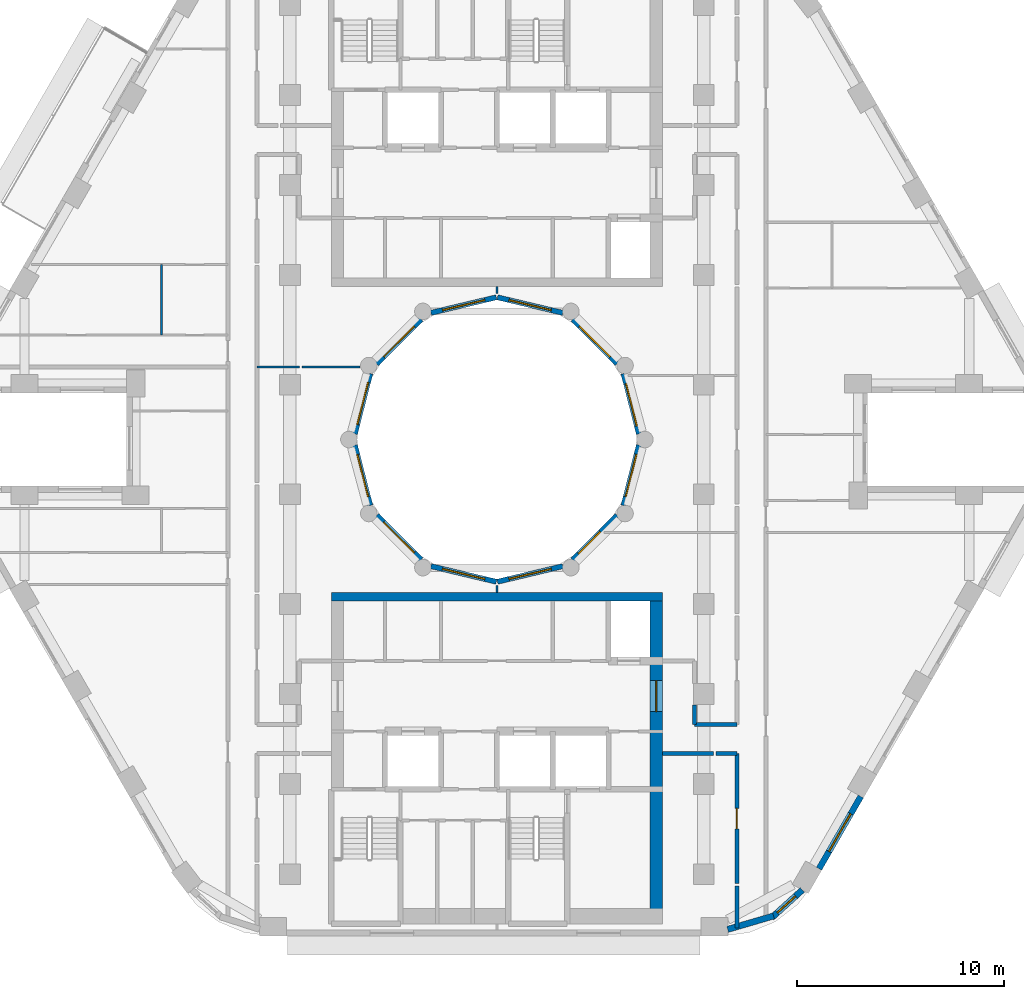
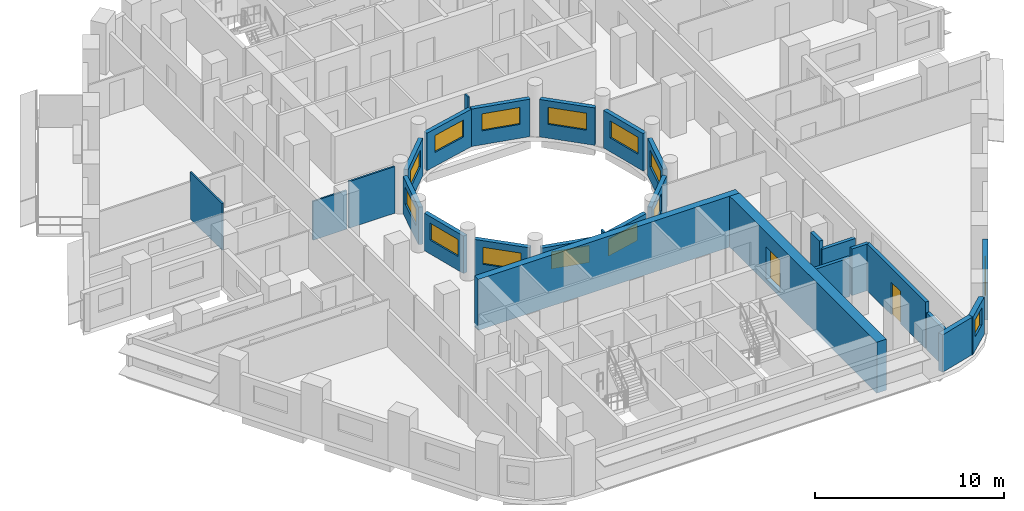
# One storey, part 5 of 13: 28 walls, 14 windows, 2 doors, 16 openings.
"""IFC4 building model written with IfcOpenShell, lengths in metres."""

import ifcopenshell
import ifcopenshell.guid

model = None  # the IFC model being written
_history = None  # IfcOwnerHistory: only IFC2X3 demands one
_inside = {}  # id of a spatial element -> (the spatial element, [elements in it])
_under = {}  # id of a project, library or spatial element -> (it, [spatial elements below it])
_declared = {}  # id of a project -> (the project, [libraries it declares])
_typed = {}  # id of a type object -> (the type object, [elements of that type])
_made_of = {}  # id of a material, layer set ... -> (it, [elements and type objects made of it])


def new_model(schema):
    """Start an empty IFC model of exactly this schema.

    Asked for "IFC4X3", IfcOpenShell would pick the latest addendum, in which some entities
    have other attributes; the version numbers below select the first issue.
    IFC2X3 requires an IfcOwnerHistory on every rooted entity: one is made here for all.
    """
    global model, _history
    if schema == "IFC4X3":
        model = ifcopenshell.file(schema_version=(4, 3, 0, 0))
    else:
        model = ifcopenshell.file(schema=schema)
    _inside.clear()
    _under.clear()
    _declared.clear()
    _typed.clear()
    _made_of.clear()
    _history = None
    if model.schema == "IFC2X3":
        org = make("IfcOrganization", Name="unknown")
        user = make(
            "IfcPersonAndOrganization",
            ThePerson=make("IfcPerson", FamilyName="unknown"),
            TheOrganization=org,
        )
        app = make(
            "IfcApplication",
            ApplicationDeveloper=org,
            Version="unknown",
            ApplicationFullName="unknown",
            ApplicationIdentifier="unknown",
        )
        _history = make(
            "IfcOwnerHistory",
            OwningUser=user,
            OwningApplication=app,
            ChangeAction="ADDED",
            CreationDate=0,
        )
    return model


def make(cls, **values):
    """One entity of the class cls with the attributes given. An attribute that is None is left unset."""
    return model.create_entity(
        cls, **{name: value for name, value in values.items() if value is not None}
    )


def rooted(cls, **values):
    """An entity with a GlobalId (a new one), such as an element, a storey or a relation."""
    return make(cls, GlobalId=ifcopenshell.guid.new(), OwnerHistory=_history, **values)


def si_unit(unit_type, name, prefix=None):
    """IfcSIUnit, for example si_unit("LENGTHUNIT", "METRE", prefix="MILLI")."""
    return make("IfcSIUnit", UnitType=unit_type, Prefix=prefix, Name=name)


def assignment(units):
    """IfcUnitAssignment: the units of a project."""
    return None if units is None else make("IfcUnitAssignment", Units=units)


def point(xyz):
    """IfcCartesianPoint."""
    return None if xyz is None else make("IfcCartesianPoint", Coordinates=xyz)


def direction(xyz):
    """IfcDirection."""
    return None if xyz is None else make("IfcDirection", DirectionRatios=xyz)


def frame(location, z_axis=None, x_axis=None):
    """IfcAxis2Placement3D, a coordinate frame: its origin and axes. An axis left out is left unset."""
    return make(
        "IfcAxis2Placement3D",
        Location=point(location),
        Axis=direction(z_axis),
        RefDirection=direction(x_axis),
    )


def frame_2d(location, x_axis=None):
    """IfcAxis2Placement2D, a coordinate frame in the plane: its origin and x axis."""
    return make(
        "IfcAxis2Placement2D", Location=point(location), RefDirection=direction(x_axis)
    )


def origin():
    """The frame at (0, 0, 0) with its axes left unset."""
    return frame((0.0, 0.0, 0.0))


def place(relative_to, where):
    """IfcLocalPlacement: puts the frame where relative to a parent placement (None: the world)."""
    return make(
        "IfcLocalPlacement", PlacementRelTo=relative_to, RelativePlacement=where
    )


def context(
    kind, dimensions, precision=None, world=None, true_north=None, identifier=None
):
    """IfcGeometricRepresentationContext, for example the 3D "Model" context."""
    return make(
        "IfcGeometricRepresentationContext",
        ContextIdentifier=identifier,
        ContextType=kind,
        CoordinateSpaceDimension=dimensions,
        Precision=precision,
        WorldCoordinateSystem=world,
        TrueNorth=true_north,
    )


def subcontext(parent, identifier, kind, view, scale=None):
    """IfcGeometricRepresentationSubContext, for example "Body" below "Model"."""
    return make(
        "IfcGeometricRepresentationSubContext",
        ContextIdentifier=identifier,
        ContextType=kind,
        ParentContext=parent,
        TargetScale=scale,
        TargetView=view,
    )


def project(units=None, contexts=None):
    """IfcProject with its units and contexts."""
    return rooted(
        "IfcProject",
        Name="project",
        RepresentationContexts=contexts,
        UnitsInContext=assignment(units),
    )


def spatial(cls, under=None, at=None, **own):
    """A site, building, storey or space (cls), placed at a placement, below another one or the project."""
    s = rooted(cls, ObjectPlacement=at, **own)
    if under is not None:
        _under.setdefault(under.id(), (under, []))[1].append(s)
    return s


def profile(cls, at=None, kind="AREA", **sizes):
    """A parametric profile (cls). Its sizes go by their IFC names, for example OverallWidth=200.0."""
    return make(cls, ProfileType=kind, Position=at, **sizes)


def rectangle(**sizes):
    """IfcRectangleProfileDef."""
    return profile("IfcRectangleProfileDef", **sizes)


def extrude(swept, where, along, depth):
    """IfcExtrudedAreaSolid: the profile swept, set in the frame where, extruded along a direction by depth."""
    return make(
        "IfcExtrudedAreaSolid",
        SweptArea=swept,
        Position=where,
        ExtrudedDirection=direction(along),
        Depth=depth,
    )


def shape(context_of_items, identifier, shape_type, items):
    """IfcShapeRepresentation: the items that make up one representation, for example the "Body"."""
    return make(
        "IfcShapeRepresentation",
        ContextOfItems=context_of_items,
        RepresentationIdentifier=identifier,
        RepresentationType=shape_type,
        Items=items,
    )


def material(Name=None, Category=None):
    """IfcMaterial."""
    return make("IfcMaterial", Name=Name, Category=Category)


def layer(
    of_material, thickness, ventilated=None, Name=None, Category=None, Priority=None
):
    """IfcMaterialLayer: one layer of a wall or slab, of a material (None: an air gap)."""
    return make(
        "IfcMaterialLayer",
        Material=of_material,
        LayerThickness=thickness,
        IsVentilated=ventilated,
        Name=Name,
        Category=Category,
        Priority=Priority,
    )


def layer_set(layers, Name=None):
    """IfcMaterialLayerSet."""
    return make("IfcMaterialLayerSet", MaterialLayers=layers, LayerSetName=Name)


def made_of(thing, what):
    """Note that an element or type object is made of a material, layer set ...; save() writes the relation."""
    if what is not None:
        _made_of.setdefault(what.id(), (what, []))[1].append(thing)
    return thing


def type_object(cls, material=None, **own):
    """A type object (cls), such as IfcWallType, which elements share."""
    return made_of(rooted(cls, **own), material)


def element(
    cls,
    number,
    at=None,
    inside=None,
    cuts=None,
    type_object=None,
    material=None,
    context=None,
    identifier="Body",
    shape_type=None,
    held_by="IfcProductDefinitionShape",
    body=None,
    shapes=None,
    **own,
):
    """One element of the class cls, such as IfcWall. Its Tag is "e" and its number.

    at: its placement. inside: the storey or other place that contains it. cuts: it is an
    opening in that element (IfcRelVoidsElement). A single representation is given by context,
    identifier, shape_type and body (its items); several are given by shapes. held_by: the class
    of the entity that holds the representations. save() writes the other relations.
    """
    e = rooted(cls, Tag="e%d" % number, ObjectPlacement=at, **own)
    if body is not None:
        shapes = [shape(context, identifier, shape_type, body)]
    if shapes is not None:
        e.Representation = make(held_by, Representations=shapes)
    if inside is not None:
        _inside.setdefault(inside.id(), (inside, []))[1].append(e)
    if cuts is not None:
        rooted(
            "IfcRelVoidsElement", RelatingBuildingElement=cuts, RelatedOpeningElement=e
        )
    if type_object is not None:
        _typed.setdefault(type_object.id(), (type_object, []))[1].append(e)
    return made_of(e, material)


def fill(opening, filler):
    """IfcRelFillsElement: the door or window that sits in an opening."""
    return rooted(
        "IfcRelFillsElement",
        RelatingOpeningElement=opening,
        RelatedBuildingElement=filler,
    )


def aggregate(whole, parts):
    """IfcRelAggregates: a whole, such as a stair, and the parts it consists of."""
    return rooted("IfcRelAggregates", RelatingObject=whole, RelatedObjects=parts)


def save(model, path):
    """Write the relations noted so far, then the file.

    IfcRelAggregates (storeys below a building ...), IfcRelContainedInSpatialStructure (elements
    in a storey), IfcRelDefinesByType, IfcRelAssociatesMaterial and IfcRelDeclares: one each for
    every whole, place, type object, material and project.
    """
    for whole, parts in _under.values():
        aggregate(whole, parts)
    for where, things in _inside.values():
        rooted(
            "IfcRelContainedInSpatialStructure",
            RelatedElements=things,
            RelatingStructure=where,
        )
    for kind, things in _typed.values():
        rooted("IfcRelDefinesByType", RelatedObjects=things, RelatingType=kind)
    for what, things in _made_of.values():
        rooted("IfcRelAssociatesMaterial", RelatedObjects=things, RelatingMaterial=what)
    for by, libraries in _declared.values():
        rooted("IfcRelDeclares", RelatingContext=by, RelatedDefinitions=libraries)
    model.write(path)


model = new_model("IFC4")

# Units and contexts
model_context = context("Model", 3, precision=1e-05, world=origin(), true_north=direction((0.0, 1.0)))
body_context = subcontext(model_context, "Body", "Model", "MODEL_VIEW")
ifc_project = project(units=[si_unit("LENGTHUNIT", "METRE"), si_unit("AREAUNIT", "SQUARE_METRE"), si_unit("VOLUMEUNIT", "CUBIC_METRE"), si_unit("PLANEANGLEUNIT", "RADIAN"), si_unit("MASSUNIT", "GRAM", prefix="KILO")], contexts=[model_context])

# Site, building, storey
site_placement = place(None, origin())
site = spatial("IfcSite", under=ifc_project, at=site_placement, CompositionType="ELEMENT")
building_placement = place(site_placement, origin())
building = spatial("IfcBuilding", under=site, at=building_placement, Name="Nakaniwa Court", CompositionType="ELEMENT")
storey_placement = place(building_placement, frame((0.0, 0.0, 140.39990234375)))
storey = spatial("IfcBuildingStorey", under=building, at=storey_placement, Name="L36", CompositionType="ELEMENT", Elevation=140.39990234375)

# Wall
ifc_material_1 = material(Name="Acoustic double stud partition")
ifc_layer_1 = layer(ifc_material_1, 0.199951171875)
ifc_layer_set_1 = layer_set([ifc_layer_1], Name="Acoustic double stud partition")
wall_type_1 = type_object("IfcWallType", Name="Acoustic double stud partition 200", PredefinedType="PARTITIONING", material=ifc_layer_set_1)
wall_1_placement = place(storey_placement, frame((91.60009765625, 56.40087890625, 0.0), z_axis=(0.0, 0.0, 1.0), x_axis=(0.0, 1.0, 0.0)))
element("IfcWall", 1, at=wall_1_placement, inside=storey, type_object=wall_type_1, Name="Partition PW-071", PredefinedType="PARTITIONING", context=body_context, shape_type="SweptSolid", body=[
    extrude(rectangle(XDim=2.02197265625, YDim=0.199951171875, at=frame_2d((1.010986328125, 0.0))), origin(), (0.0, 0.0, 1.0), 2.405029296875),
])

# Wall, opening, door
wall_2_placement = place(storey_placement, frame((91.60009765625, 58.537109375, 0.0), z_axis=(0.0, 0.0, 1.0), x_axis=(0.0, 1.0, 0.0)))
wall_2 = element("IfcWall", 2, at=wall_2_placement, inside=storey, type_object=wall_type_1, Name="Partition PW-072", PredefinedType="PARTITIONING", context=body_context, shape_type="SweptSolid", body=[
    extrude(rectangle(XDim=6.287841796875, YDim=0.199951171875, at=frame_2d((3.14404296875, 0.0))), origin(), (0.0, 0.0, 1.0), 3.025146484375),
])
opening_1_placement = place(wall_2_placement, frame((2.64501953125, 0.0, 0.0)))
opening_1 = element("IfcOpeningElement", 3, at=opening_1_placement, cuts=wall_2, Name="Opening D-02-01", PredefinedType="OPENING", context=body_context, shape_type="SweptSolid", body=[
    extrude(rectangle(XDim=1.0, YDim=2.10009765625, at=frame_2d((0.5, 1.050048828125))), frame((0.0, 0.10986328125, 0.0), z_axis=(0.0, -1.0, 0.0), x_axis=(1.0, 0.0, 0.0)), (0.0, 0.0, 1.0), 0.219970703125),
])
ifc_material_2 = material(Name="Solid core timber door set, black veneer", Category="wood")
door_type_1 = type_object("IfcDoorType", Name="Internal door 1000", OperationType="NOTDEFINED", PredefinedType="DOOR", material=ifc_material_2)
door_1_placement = place(opening_1_placement, origin())
door_1 = element("IfcDoor", 4, at=door_1_placement, inside=storey, type_object=door_type_1, Name="Door D-02-01 L36-027", OperationType="SINGLE_SWING_RIGHT", OverallHeight=2.10009765625, OverallWidth=1.0, PredefinedType="DOOR", context=body_context, shape_type="SweptSolid", body=[
    extrude(rectangle(XDim=1.0, YDim=2.10009765625, at=frame_2d((0.5, 1.050048828125))), frame((0.0, 0.02490234375, 0.0), z_axis=(0.0, -1.0, 0.0), x_axis=(1.0, 0.0, 0.0)), (0.0, 0.0, 1.0), 0.050048828125),
])
fill(opening_1, door_1)

# Walls
wall_3_placement = place(storey_placement, frame((88.0, 64.824951171875, 0.0), z_axis=(0.0, 0.0, 1.0), x_axis=(1.0, 0.0, 0.0)))
element("IfcWall", 5, at=wall_3_placement, inside=storey, type_object=wall_type_1, Name="Partition PW-081", PredefinedType="PARTITIONING", context=body_context, shape_type="SweptSolid", body=[
    extrude(rectangle(XDim=2.462890625, YDim=0.199951171875, at=frame_2d((1.2314453125, 0.0))), origin(), (0.0, 0.0, 1.0), 2.505126953125),
])
wall_4_placement = place(storey_placement, frame((90.5771484375, 64.824951171875, 0.0), z_axis=(0.0, 0.0, 1.0), x_axis=(1.0, 0.0, 0.0)))
element("IfcWall", 6, at=wall_4_placement, inside=storey, type_object=wall_type_1, Name="Partition PW-082", PredefinedType="PARTITIONING", context=body_context, shape_type="SweptSolid", body=[
    extrude(rectangle(XDim=1.02294921875, YDim=0.199951171875, at=frame_2d((0.511474609375, 0.0))), origin(), (0.0, 0.0, 1.0), 3.025146484375),
])
wall_5_placement = place(storey_placement, frame((89.550048828125, 66.22509765625, 0.0), z_axis=(0.0, 0.0, 1.0), x_axis=(0.0, 1.0, 0.0)))
element("IfcWall", 7, at=wall_5_placement, inside=storey, type_object=wall_type_1, Name="Partition PW-086", PredefinedType="PARTITIONING", context=body_context, shape_type="SweptSolid", body=[
    extrude(rectangle(XDim=0.957763671875, YDim=0.199951171875, at=frame_2d((0.47900390625, 0.0))), origin(), (0.0, 0.0, 1.0), 3.025146484375),
])
wall_6_placement = place(storey_placement, frame((89.550048828125, 66.22509765625, 0.0), z_axis=(0.0, 0.0, 1.0), x_axis=(1.0, 0.0, 0.0)))
element("IfcWall", 8, at=wall_6_placement, inside=storey, type_object=wall_type_1, Name="Partition PW-091", PredefinedType="PARTITIONING", context=body_context, shape_type="SweptSolid", body=[
    extrude(rectangle(XDim=2.050048828125, YDim=0.199951171875, at=frame_2d((1.02490234375, 0.0))), origin(), (0.0, 0.0, 1.0), 2.505126953125),
])
ifc_material_3 = material(Name="Charcoal ceramic cladding")
ifc_layer_2 = layer(ifc_material_3, 0.02, Name="Ceramic cladding")
ifc_material_4 = material(Name="Ventilated air cavity")
ifc_layer_3 = layer(ifc_material_4, 0.04, ventilated=True, Name="Ventilated cavity")
ifc_material_5 = material(Name="Mineral wool insulation")
ifc_layer_4 = layer(ifc_material_5, 0.1, Name="Insulation")
ifc_material_6 = material(Name="Cement bonded sheathing board")
ifc_layer_5 = layer(ifc_material_6, 0.012, Name="Sheathing")
ifc_material_7 = material(Name="Cold-formed galvanised stud frame with mineral wool infill")
ifc_layer_6 = layer(ifc_material_7, 0.1, Name="Stud frame")
ifc_material_8 = material(Name="Fire-rated gypsum plasterboard lining")
ifc_layer_7 = layer(ifc_material_8, 0.028, Name="Lining")
ifc_layer_set_2 = layer_set([ifc_layer_2, ifc_layer_3, ifc_layer_4, ifc_layer_5, ifc_layer_6, ifc_layer_7], Name="Charcoal ceramic faced external wall system")
wall_type_2 = type_object("IfcWallType", Name="Black ceramic faced external wall 300", PredefinedType="SOLIDWALL", material=ifc_layer_set_2)
wall_7_placement = place(storey_placement, frame((91.1533203125, 56.328125, 0.0), z_axis=(0.0, 0.0, 1.0), x_axis=(0.959473072336, 0.281800325517, 0.0)))
element("IfcWall", 9, at=wall_7_placement, inside=storey, type_object=wall_type_2, Name="L36 external wall 27", PredefinedType="SOLIDWALL", context=body_context, shape_type="SweptSolid", body=[
    extrude(rectangle(XDim=2.3115234375, YDim=0.300048828125, at=frame_2d((1.15576171875, 0.0))), origin(), (0.0, 0.0, 1.0), 2.425048828125),
])

# Wall, opening, window
wall_8_placement = place(storey_placement, frame((93.2783203125, 56.890380859375, 0.0), z_axis=(0.0, 0.0, 1.0), x_axis=(0.740652597499, 0.671888182526, 0.0)))
wall_8 = element("IfcWall", 10, at=wall_8_placement, inside=storey, type_object=wall_type_2, Name="L36 external wall 28", PredefinedType="SOLIDWALL", context=body_context, shape_type="SweptSolid", body=[
    extrude(rectangle(XDim=1.998779296875, YDim=0.300048828125, at=frame_2d((0.99951171875, 0.0))), origin(), (0.0, 0.0, 1.0), 2.425048828125),
])
opening_2_placement = place(wall_8_placement, frame((0.359619140625, 0.0, 0.89990234375)))
opening_2 = element("IfcOpeningElement", 11, at=opening_2_placement, cuts=wall_8, Name="Opening W6.29", PredefinedType="OPENING", context=body_context, shape_type="SweptSolid", body=[
    extrude(rectangle(XDim=1.199951171875, YDim=1.10009765625, at=frame_2d((0.60009765625, 0.550048828125))), frame((0.0, 0.159912109375, 0.0), z_axis=(0.0, -1.0, 0.0), x_axis=(1.0, 0.0, 0.0)), (0.0, 0.0, 1.0), 0.320068359375),
])
ifc_material_9 = material(Name="Black anodised aluminium frame with dark low-E laminated double glazing", Category="aluminium")
window_type_1 = type_object("IfcWindowType", Name="Dark glass window 1200x1100 sill 900", PartitioningType="SINGLE_PANEL", PredefinedType="WINDOW", material=ifc_material_9)
window_1_placement = place(opening_2_placement, origin())
window_1 = element("IfcWindow", 12, at=window_1_placement, inside=storey, type_object=window_type_1, Name="L36 habitable room window 28-0", OverallHeight=1.10009765625, OverallWidth=1.199951171875, PartitioningType="SINGLE_PANEL", PredefinedType="WINDOW", context=body_context, shape_type="SweptSolid", body=[
    extrude(rectangle(XDim=1.199951171875, YDim=1.10009765625, at=frame_2d((0.60009765625, 0.550048828125))), frame((0.0, 0.030029296875, 0.0), z_axis=(0.0, -1.0, 0.0), x_axis=(1.0, 0.0, 0.0)), (0.0, 0.0, 1.0), 0.06005859375),
])
fill(opening_2, window_1)

wall_9_placement = place(storey_placement, frame((95.565185546875, 59.260009765625, 0.0), z_axis=(0.0, 0.0, 1.0), x_axis=(0.500031546601, 0.86600718958, 0.0)))
wall_9 = element("IfcWall", 13, at=wall_9_placement, inside=storey, type_object=wall_type_2, Name="L36 external wall 29", PredefinedType="SOLIDWALL", context=body_context, shape_type="SweptSolid", body=[
    extrude(rectangle(XDim=4.033935546875, YDim=0.300048828125, at=frame_2d((2.01708984375, 0.0))), origin(), (0.0, 0.0, 1.0), 2.425048828125),
])
opening_3_placement = place(wall_9_placement, frame((0.967041015625, 0.0, 0.89990234375)))
opening_3 = element("IfcOpeningElement", 14, at=opening_3_placement, cuts=wall_9, Name="Opening W7.30", PredefinedType="OPENING", context=body_context, shape_type="SweptSolid", body=[
    extrude(rectangle(XDim=2.10009765625, YDim=1.10009765625, at=frame_2d((1.050048828125, 0.550048828125))), frame((0.0, 0.159912109375, 0.0), z_axis=(0.0, -1.0, 0.0), x_axis=(1.0, 0.0, 0.0)), (0.0, 0.0, 1.0), 0.320068359375),
])
window_type_2 = type_object("IfcWindowType", Name="Dark glass window 2100x1100 sill 900", PartitioningType="SINGLE_PANEL", PredefinedType="WINDOW", material=ifc_material_9)
window_2_placement = place(opening_3_placement, origin())
window_2 = element("IfcWindow", 15, at=window_2_placement, inside=storey, type_object=window_type_2, Name="L36 habitable room window 29-0", OverallHeight=1.10009765625, OverallWidth=2.10009765625, PartitioningType="SINGLE_PANEL", PredefinedType="WINDOW", context=body_context, shape_type="SweptSolid", body=[
    extrude(rectangle(XDim=2.10009765625, YDim=1.10009765625, at=frame_2d((1.050048828125, 0.550048828125))), frame((0.0, 0.030029296875, 0.0), z_axis=(0.0, -1.0, 0.0), x_axis=(1.0, 0.0, 0.0)), (0.0, 0.0, 1.0), 0.06005859375),
])
fill(opening_3, window_2)

ifc_layer_8 = layer(ifc_material_3, 0.02, Name="Ceramic cladding")
ifc_layer_9 = layer(ifc_material_4, 0.04, ventilated=True, Name="Ventilated cavity")
ifc_layer_10 = layer(ifc_material_5, 0.075, Name="Insulation")
ifc_layer_11 = layer(ifc_material_6, 0.012, Name="Sheathing")
ifc_layer_12 = layer(ifc_material_7, 0.075, Name="Stud frame")
ifc_layer_13 = layer(ifc_material_8, 0.028, Name="Lining")
ifc_layer_set_3 = layer_set([ifc_layer_8, ifc_layer_9, ifc_layer_10, ifc_layer_11, ifc_layer_12, ifc_layer_13], Name="Charcoal ceramic faced external wall system")
wall_type_3 = type_object("IfcWallType", Name="Charcoal ceramic faced well wall 250", PredefinedType="SOLIDWALL", material=ifc_layer_set_3)
wall_10_placement = place(storey_placement, frame((86.8603515625, 79.72998046875, 0.0), z_axis=(0.0, 0.0, 1.0), x_axis=(-0.247055971283, -0.969001211069, 0.0)))
wall_10 = element("IfcWall", 16, at=wall_10_placement, inside=storey, type_object=wall_type_3, Name="L36 external wall 36", PredefinedType="SOLIDWALL", context=body_context, shape_type="SweptSolid", body=[
    extrude(rectangle(XDim=3.010009765625, YDim=0.25, at=frame_2d((1.5048828125, 0.0))), origin(), (0.0, 0.0, 1.0), 2.425048828125),
])
opening_4_placement = place(wall_10_placement, frame((0.46875, 0.0, 0.89990234375)))
opening_4 = element("IfcOpeningElement", 17, at=opening_4_placement, cuts=wall_10, Name="Opening W7.36", PredefinedType="OPENING", context=body_context, shape_type="SweptSolid", body=[
    extrude(rectangle(XDim=2.10009765625, YDim=1.10009765625, at=frame_2d((1.050048828125, 0.550048828125))), frame((0.0, 0.135009765625, 0.0), z_axis=(0.0, -1.0, 0.0), x_axis=(1.0, 0.0, 0.0)), (0.0, 0.0, 1.0), 0.27001953125),
])
window_3_placement = place(opening_4_placement, origin())
window_3 = element("IfcWindow", 18, at=window_3_placement, inside=storey, type_object=window_type_2, Name="L36 habitable room window 36-0", OverallHeight=1.10009765625, OverallWidth=2.10009765625, PartitioningType="SINGLE_PANEL", PredefinedType="WINDOW", context=body_context, shape_type="SweptSolid", body=[
    extrude(rectangle(XDim=2.10009765625, YDim=1.10009765625, at=frame_2d((1.050048828125, 0.550048828125))), frame((0.0, 0.030029296875, 0.0), z_axis=(0.0, -1.0, 0.0), x_axis=(1.0, 0.0, 0.0)), (0.0, 0.0, 1.0), 0.06005859375),
])
fill(opening_4, window_3)

wall_11_placement = place(storey_placement, frame((85.8056640625, 76.339111328125, 0.0), z_axis=(0.0, 0.0, 1.0), x_axis=(-0.707106781187, -0.707106781187, 0.0)))
wall_11 = element("IfcWall", 19, at=wall_11_placement, inside=storey, type_object=wall_type_3, Name="L36 external wall 37", PredefinedType="SOLIDWALL", context=body_context, shape_type="SweptSolid", body=[
    extrude(rectangle(XDim=3.033203125, YDim=0.25, at=frame_2d((1.5166015625, 0.0))), origin(), (0.0, 0.0, 1.0), 2.425048828125),
])
opening_5_placement = place(wall_11_placement, frame((1.13427734375, 0.0, 0.89990234375)))
opening_5 = element("IfcOpeningElement", 20, at=opening_5_placement, cuts=wall_11, Name="Opening W5.37", PredefinedType="OPENING", context=body_context, shape_type="SweptSolid", body=[
    extrude(rectangle(XDim=1.5, YDim=1.10009765625, at=frame_2d((0.75, 0.550048828125))), frame((0.0, 0.135009765625, 0.0), z_axis=(0.0, -1.0, 0.0), x_axis=(1.0, 0.0, 0.0)), (0.0, 0.0, 1.0), 0.27001953125),
])
window_type_3 = type_object("IfcWindowType", Name="Dark glass window 1500x1100 sill 900", PartitioningType="SINGLE_PANEL", PredefinedType="WINDOW", material=ifc_material_9)
window_4_placement = place(opening_5_placement, origin())
window_4 = element("IfcWindow", 21, at=window_4_placement, inside=storey, type_object=window_type_3, Name="L36 habitable room window 37-1", OverallHeight=1.10009765625, OverallWidth=1.5, PartitioningType="SINGLE_PANEL", PredefinedType="WINDOW", context=body_context, shape_type="SweptSolid", body=[
    extrude(rectangle(XDim=1.5, YDim=1.10009765625, at=frame_2d((0.75, 0.550048828125))), frame((0.0, 0.030029296875, 0.0), z_axis=(0.0, -1.0, 0.0), x_axis=(1.0, 0.0, 0.0)), (0.0, 0.0, 1.0), 0.06005859375),
])
fill(opening_5, window_4)

wall_12_placement = place(storey_placement, frame((83.186279296875, 73.880615234375, 0.0), z_axis=(0.0, 0.0, 1.0), x_axis=(-0.972773113459, -0.231759508395, 0.0)))
wall_12 = element("IfcWall", 22, at=wall_12_placement, inside=storey, type_object=wall_type_3, Name="L36 external wall 38", PredefinedType="SOLIDWALL", context=body_context, shape_type="SweptSolid", body=[
    extrude(rectangle(XDim=3.24560546875, YDim=0.25, at=frame_2d((1.622802734375, 0.0))), origin(), (0.0, 0.0, 1.0), 2.425048828125),
])
opening_6_placement = place(wall_12_placement, frame((0.57275390625, 0.0, 0.89990234375)))
opening_6 = element("IfcOpeningElement", 23, at=opening_6_placement, cuts=wall_12, Name="Opening W7.38", PredefinedType="OPENING", context=body_context, shape_type="SweptSolid", body=[
    extrude(rectangle(XDim=2.10009765625, YDim=1.10009765625, at=frame_2d((1.050048828125, 0.550048828125))), frame((0.0, 0.135009765625, 0.0), z_axis=(0.0, -1.0, 0.0), x_axis=(1.0, 0.0, 0.0)), (0.0, 0.0, 1.0), 0.27001953125),
])
window_5_placement = place(opening_6_placement, origin())
window_5 = element("IfcWindow", 24, at=window_5_placement, inside=storey, type_object=window_type_2, Name="L36 habitable room window 38-0", OverallHeight=1.10009765625, OverallWidth=2.10009765625, PartitioningType="SINGLE_PANEL", PredefinedType="WINDOW", context=body_context, shape_type="SweptSolid", body=[
    extrude(rectangle(XDim=2.10009765625, YDim=1.10009765625, at=frame_2d((1.050048828125, 0.550048828125))), frame((0.0, 0.030029296875, 0.0), z_axis=(0.0, -1.0, 0.0), x_axis=(1.0, 0.0, 0.0)), (0.0, 0.0, 1.0), 0.06005859375),
])
fill(opening_6, window_5)

wall_13_placement = place(storey_placement, frame((79.970947265625, 73.12841796875, 0.0), z_axis=(0.0, 0.0, 1.0), x_axis=(-0.972773113459, 0.231759508395, 0.0)))
wall_13 = element("IfcWall", 25, at=wall_13_placement, inside=storey, type_object=wall_type_3, Name="L36 external wall 39", PredefinedType="SOLIDWALL", context=body_context, shape_type="SweptSolid", body=[
    extrude(rectangle(XDim=3.24560546875, YDim=0.25, at=frame_2d((1.622802734375, 0.0))), origin(), (0.0, 0.0, 1.0), 2.425048828125),
])
opening_7_placement = place(wall_13_placement, frame((0.57275390625, 0.0, 0.89990234375)))
opening_7 = element("IfcOpeningElement", 26, at=opening_7_placement, cuts=wall_13, Name="Opening W7.39", PredefinedType="OPENING", context=body_context, shape_type="SweptSolid", body=[
    extrude(rectangle(XDim=2.10009765625, YDim=1.10009765625, at=frame_2d((1.050048828125, 0.550048828125))), frame((0.0, 0.135009765625, 0.0), z_axis=(0.0, -1.0, 0.0), x_axis=(1.0, 0.0, 0.0)), (0.0, 0.0, 1.0), 0.27001953125),
])
window_6_placement = place(opening_7_placement, origin())
window_6 = element("IfcWindow", 27, at=window_6_placement, inside=storey, type_object=window_type_2, Name="L36 habitable room window 39-0", OverallHeight=1.10009765625, OverallWidth=2.10009765625, PartitioningType="SINGLE_PANEL", PredefinedType="WINDOW", context=body_context, shape_type="SweptSolid", body=[
    extrude(rectangle(XDim=2.10009765625, YDim=1.10009765625, at=frame_2d((1.050048828125, 0.550048828125))), frame((0.0, 0.030029296875, 0.0), z_axis=(0.0, -1.0, 0.0), x_axis=(1.0, 0.0, 0.0)), (0.0, 0.0, 1.0), 0.06005859375),
])
fill(opening_7, window_6)

wall_14_placement = place(storey_placement, frame((76.339111328125, 74.1943359375, 0.0), z_axis=(0.0, 0.0, 1.0), x_axis=(-0.707106781187, 0.707106781187, 0.0)))
wall_14 = element("IfcWall", 28, at=wall_14_placement, inside=storey, type_object=wall_type_3, Name="L36 external wall 40", PredefinedType="SOLIDWALL", context=body_context, shape_type="SweptSolid", body=[
    extrude(rectangle(XDim=3.033203125, YDim=0.25, at=frame_2d((1.5166015625, 0.0))), origin(), (0.0, 0.0, 1.0), 2.425048828125),
])
opening_8_placement = place(wall_14_placement, frame((0.466552734375, 0.0, 0.89990234375)))
opening_8 = element("IfcOpeningElement", 29, at=opening_8_placement, cuts=wall_14, Name="Opening W7.40", PredefinedType="OPENING", context=body_context, shape_type="SweptSolid", body=[
    extrude(rectangle(XDim=2.10009765625, YDim=1.10009765625, at=frame_2d((1.050048828125, 0.550048828125))), frame((0.0, 0.135009765625, 0.0), z_axis=(0.0, -1.0, 0.0), x_axis=(1.0, 0.0, 0.0)), (0.0, 0.0, 1.0), 0.27001953125),
])
window_7_placement = place(opening_8_placement, origin())
window_7 = element("IfcWindow", 30, at=window_7_placement, inside=storey, type_object=window_type_2, Name="L36 habitable room window 40-0", OverallHeight=1.10009765625, OverallWidth=2.10009765625, PartitioningType="SINGLE_PANEL", PredefinedType="WINDOW", context=body_context, shape_type="SweptSolid", body=[
    extrude(rectangle(XDim=2.10009765625, YDim=1.10009765625, at=frame_2d((1.050048828125, 0.550048828125))), frame((0.0, 0.030029296875, 0.0), z_axis=(0.0, -1.0, 0.0), x_axis=(1.0, 0.0, 0.0)), (0.0, 0.0, 1.0), 0.06005859375),
])
fill(opening_8, window_7)

wall_15_placement = place(storey_placement, frame((73.88330078125, 76.813232421875, 0.0), z_axis=(0.0, 0.0, 1.0), x_axis=(-0.247055971283, 0.969001211069, 0.0)))
wall_15 = element("IfcWall", 31, at=wall_15_placement, inside=storey, type_object=wall_type_3, Name="L36 external wall 41", PredefinedType="SOLIDWALL", context=body_context, shape_type="SweptSolid", body=[
    extrude(rectangle(XDim=3.010009765625, YDim=0.25, at=frame_2d((1.5048828125, 0.0))), origin(), (0.0, 0.0, 1.0), 2.425048828125),
])
opening_9_placement = place(wall_15_placement, frame((0.441162109375, 0.0, 0.89990234375)))
opening_9 = element("IfcOpeningElement", 32, at=opening_9_placement, cuts=wall_15, Name="Opening W7.41", PredefinedType="OPENING", context=body_context, shape_type="SweptSolid", body=[
    extrude(rectangle(XDim=2.10009765625, YDim=1.10009765625, at=frame_2d((1.050048828125, 0.550048828125))), frame((0.0, 0.135009765625, 0.0), z_axis=(0.0, -1.0, 0.0), x_axis=(1.0, 0.0, 0.0)), (0.0, 0.0, 1.0), 0.27001953125),
])
window_8_placement = place(opening_9_placement, origin())
window_8 = element("IfcWindow", 33, at=window_8_placement, inside=storey, type_object=window_type_2, Name="L36 habitable room window 41-0", OverallHeight=1.10009765625, OverallWidth=2.10009765625, PartitioningType="SINGLE_PANEL", PredefinedType="WINDOW", context=body_context, shape_type="SweptSolid", body=[
    extrude(rectangle(XDim=2.10009765625, YDim=1.10009765625, at=frame_2d((1.050048828125, 0.550048828125))), frame((0.0, 0.030029296875, 0.0), z_axis=(0.0, -1.0, 0.0), x_axis=(1.0, 0.0, 0.0)), (0.0, 0.0, 1.0), 0.06005859375),
])
fill(opening_9, window_8)

wall_16_placement = place(storey_placement, frame((73.1396484375, 80.27001953125, 0.0), z_axis=(0.0, 0.0, 1.0), x_axis=(0.247055971283, 0.969001211069, 0.0)))
wall_16 = element("IfcWall", 34, at=wall_16_placement, inside=storey, type_object=wall_type_3, Name="L36 external wall 42", PredefinedType="SOLIDWALL", context=body_context, shape_type="SweptSolid", body=[
    extrude(rectangle(XDim=3.010009765625, YDim=0.25, at=frame_2d((1.5048828125, 0.0))), origin(), (0.0, 0.0, 1.0), 2.425048828125),
])
opening_10_placement = place(wall_16_placement, frame((0.46875, 0.0, 0.89990234375)))
opening_10 = element("IfcOpeningElement", 35, at=opening_10_placement, cuts=wall_16, Name="Opening W7.42", PredefinedType="OPENING", context=body_context, shape_type="SweptSolid", body=[
    extrude(rectangle(XDim=2.10009765625, YDim=1.10009765625, at=frame_2d((1.050048828125, 0.550048828125))), frame((0.0, 0.135009765625, 0.0), z_axis=(0.0, -1.0, 0.0), x_axis=(1.0, 0.0, 0.0)), (0.0, 0.0, 1.0), 0.27001953125),
])
window_9_placement = place(opening_10_placement, origin())
window_9 = element("IfcWindow", 36, at=window_9_placement, inside=storey, type_object=window_type_2, Name="L36 habitable room window 42-0", OverallHeight=1.10009765625, OverallWidth=2.10009765625, PartitioningType="SINGLE_PANEL", PredefinedType="WINDOW", context=body_context, shape_type="SweptSolid", body=[
    extrude(rectangle(XDim=2.10009765625, YDim=1.10009765625, at=frame_2d((1.050048828125, 0.550048828125))), frame((0.0, 0.030029296875, 0.0), z_axis=(0.0, -1.0, 0.0), x_axis=(1.0, 0.0, 0.0)), (0.0, 0.0, 1.0), 0.06005859375),
])
fill(opening_10, window_9)

wall_17_placement = place(storey_placement, frame((74.1943359375, 83.660888671875, 0.0), z_axis=(0.0, 0.0, 1.0), x_axis=(0.707106781187, 0.707106781187, 0.0)))
wall_17 = element("IfcWall", 37, at=wall_17_placement, inside=storey, type_object=wall_type_3, Name="L36 external wall 43", PredefinedType="SOLIDWALL", context=body_context, shape_type="SweptSolid", body=[
    extrude(rectangle(XDim=3.033203125, YDim=0.25, at=frame_2d((1.5166015625, 0.0))), origin(), (0.0, 0.0, 1.0), 2.425048828125),
])
opening_11_placement = place(wall_17_placement, frame((0.466552734375, 0.0, 0.89990234375)))
opening_11 = element("IfcOpeningElement", 38, at=opening_11_placement, cuts=wall_17, Name="Opening W7.43", PredefinedType="OPENING", context=body_context, shape_type="SweptSolid", body=[
    extrude(rectangle(XDim=2.10009765625, YDim=1.10009765625, at=frame_2d((1.050048828125, 0.550048828125))), frame((0.0, 0.135009765625, 0.0), z_axis=(0.0, -1.0, 0.0), x_axis=(1.0, 0.0, 0.0)), (0.0, 0.0, 1.0), 0.27001953125),
])
window_10_placement = place(opening_11_placement, origin())
window_10 = element("IfcWindow", 39, at=window_10_placement, inside=storey, type_object=window_type_2, Name="L36 habitable room window 43-0", OverallHeight=1.10009765625, OverallWidth=2.10009765625, PartitioningType="SINGLE_PANEL", PredefinedType="WINDOW", context=body_context, shape_type="SweptSolid", body=[
    extrude(rectangle(XDim=2.10009765625, YDim=1.10009765625, at=frame_2d((1.050048828125, 0.550048828125))), frame((0.0, 0.030029296875, 0.0), z_axis=(0.0, -1.0, 0.0), x_axis=(1.0, 0.0, 0.0)), (0.0, 0.0, 1.0), 0.06005859375),
])
fill(opening_11, window_10)

wall_18_placement = place(storey_placement, frame((76.813720703125, 86.119384765625, 0.0), z_axis=(0.0, 0.0, 1.0), x_axis=(0.972773113459, 0.231759508395, 0.0)))
wall_18 = element("IfcWall", 40, at=wall_18_placement, inside=storey, type_object=wall_type_3, Name="L36 external wall 44", PredefinedType="SOLIDWALL", context=body_context, shape_type="SweptSolid", body=[
    extrude(rectangle(XDim=3.24560546875, YDim=0.25, at=frame_2d((1.622802734375, 0.0))), origin(), (0.0, 0.0, 1.0), 2.425048828125),
])
opening_12_placement = place(wall_18_placement, frame((0.57275390625, 0.0, 0.89990234375)))
opening_12 = element("IfcOpeningElement", 41, at=opening_12_placement, cuts=wall_18, Name="Opening W7.44", PredefinedType="OPENING", context=body_context, shape_type="SweptSolid", body=[
    extrude(rectangle(XDim=2.10009765625, YDim=1.10009765625, at=frame_2d((1.050048828125, 0.550048828125))), frame((0.0, 0.135009765625, 0.0), z_axis=(0.0, -1.0, 0.0), x_axis=(1.0, 0.0, 0.0)), (0.0, 0.0, 1.0), 0.27001953125),
])
window_11_placement = place(opening_12_placement, origin())
window_11 = element("IfcWindow", 42, at=window_11_placement, inside=storey, type_object=window_type_2, Name="L36 habitable room window 44-0", OverallHeight=1.10009765625, OverallWidth=2.10009765625, PartitioningType="SINGLE_PANEL", PredefinedType="WINDOW", context=body_context, shape_type="SweptSolid", body=[
    extrude(rectangle(XDim=2.10009765625, YDim=1.10009765625, at=frame_2d((1.050048828125, 0.550048828125))), frame((0.0, 0.030029296875, 0.0), z_axis=(0.0, -1.0, 0.0), x_axis=(1.0, 0.0, 0.0)), (0.0, 0.0, 1.0), 0.06005859375),
])
fill(opening_12, window_11)

wall_19_placement = place(storey_placement, frame((80.029052734375, 86.87158203125, 0.0), z_axis=(0.0, 0.0, 1.0), x_axis=(0.972773113459, -0.231759508395, 0.0)))
wall_19 = element("IfcWall", 43, at=wall_19_placement, inside=storey, type_object=wall_type_3, Name="L36 external wall 45", PredefinedType="SOLIDWALL", context=body_context, shape_type="SweptSolid", body=[
    extrude(rectangle(XDim=3.24560546875, YDim=0.25, at=frame_2d((1.622802734375, 0.0))), origin(), (0.0, 0.0, 1.0), 2.425048828125),
])
opening_13_placement = place(wall_19_placement, frame((0.57275390625, 0.0, 0.89990234375)))
opening_13 = element("IfcOpeningElement", 44, at=opening_13_placement, cuts=wall_19, Name="Opening W7.45", PredefinedType="OPENING", context=body_context, shape_type="SweptSolid", body=[
    extrude(rectangle(XDim=2.10009765625, YDim=1.10009765625, at=frame_2d((1.050048828125, 0.550048828125))), frame((0.0, 0.135009765625, 0.0), z_axis=(0.0, -1.0, 0.0), x_axis=(1.0, 0.0, 0.0)), (0.0, 0.0, 1.0), 0.27001953125),
])
window_12_placement = place(opening_13_placement, origin())
window_12 = element("IfcWindow", 45, at=window_12_placement, inside=storey, type_object=window_type_2, Name="L36 habitable room window 45-0", OverallHeight=1.10009765625, OverallWidth=2.10009765625, PartitioningType="SINGLE_PANEL", PredefinedType="WINDOW", context=body_context, shape_type="SweptSolid", body=[
    extrude(rectangle(XDim=2.10009765625, YDim=1.10009765625, at=frame_2d((1.050048828125, 0.550048828125))), frame((0.0, 0.030029296875, 0.0), z_axis=(0.0, -1.0, 0.0), x_axis=(1.0, 0.0, 0.0)), (0.0, 0.0, 1.0), 0.06005859375),
])
fill(opening_13, window_12)

wall_20_placement = place(storey_placement, frame((83.660888671875, 85.8056640625, 0.0), z_axis=(0.0, 0.0, 1.0), x_axis=(0.707106781187, -0.707106781187, 0.0)))
wall_20 = element("IfcWall", 46, at=wall_20_placement, inside=storey, type_object=wall_type_3, Name="L36 external wall 46", PredefinedType="SOLIDWALL", context=body_context, shape_type="SweptSolid", body=[
    extrude(rectangle(XDim=3.033203125, YDim=0.25, at=frame_2d((1.5166015625, 0.0))), origin(), (0.0, 0.0, 1.0), 2.425048828125),
])
opening_14_placement = place(wall_20_placement, frame((0.466552734375, 0.0, 0.89990234375)))
opening_14 = element("IfcOpeningElement", 47, at=opening_14_placement, cuts=wall_20, Name="Opening W7.46", PredefinedType="OPENING", context=body_context, shape_type="SweptSolid", body=[
    extrude(rectangle(XDim=2.10009765625, YDim=1.10009765625, at=frame_2d((1.050048828125, 0.550048828125))), frame((0.0, 0.135009765625, 0.0), z_axis=(0.0, -1.0, 0.0), x_axis=(1.0, 0.0, 0.0)), (0.0, 0.0, 1.0), 0.27001953125),
])
window_13_placement = place(opening_14_placement, origin())
window_13 = element("IfcWindow", 48, at=window_13_placement, inside=storey, type_object=window_type_2, Name="L36 habitable room window 46-0", OverallHeight=1.10009765625, OverallWidth=2.10009765625, PartitioningType="SINGLE_PANEL", PredefinedType="WINDOW", context=body_context, shape_type="SweptSolid", body=[
    extrude(rectangle(XDim=2.10009765625, YDim=1.10009765625, at=frame_2d((1.050048828125, 0.550048828125))), frame((0.0, 0.030029296875, 0.0), z_axis=(0.0, -1.0, 0.0), x_axis=(1.0, 0.0, 0.0)), (0.0, 0.0, 1.0), 0.06005859375),
])
fill(opening_14, window_13)

wall_21_placement = place(storey_placement, frame((86.11669921875, 83.186767578125, 0.0), z_axis=(0.0, 0.0, 1.0), x_axis=(0.247055971283, -0.969001211069, 0.0)))
wall_21 = element("IfcWall", 49, at=wall_21_placement, inside=storey, type_object=wall_type_3, Name="L36 external wall 47", PredefinedType="SOLIDWALL", context=body_context, shape_type="SweptSolid", body=[
    extrude(rectangle(XDim=3.010009765625, YDim=0.25, at=frame_2d((1.5048828125, 0.0))), origin(), (0.0, 0.0, 1.0), 2.425048828125),
])
opening_15_placement = place(wall_21_placement, frame((0.509521484375, 0.0, 0.89990234375)))
opening_15 = element("IfcOpeningElement", 50, at=opening_15_placement, cuts=wall_21, Name="Opening W7.47", PredefinedType="OPENING", context=body_context, shape_type="SweptSolid", body=[
    extrude(rectangle(XDim=2.10009765625, YDim=1.10009765625, at=frame_2d((1.050048828125, 0.550048828125))), frame((0.0, 0.135009765625, 0.0), z_axis=(0.0, -1.0, 0.0), x_axis=(1.0, 0.0, 0.0)), (0.0, 0.0, 1.0), 0.27001953125),
])
window_14_placement = place(opening_15_placement, origin())
window_14 = element("IfcWindow", 51, at=window_14_placement, inside=storey, type_object=window_type_2, Name="L36 habitable room window 47-1", OverallHeight=1.10009765625, OverallWidth=2.10009765625, PartitioningType="SINGLE_PANEL", PredefinedType="WINDOW", context=body_context, shape_type="SweptSolid", body=[
    extrude(rectangle(XDim=2.10009765625, YDim=1.10009765625, at=frame_2d((1.050048828125, 0.550048828125))), frame((0.0, 0.030029296875, 0.0), z_axis=(0.0, -1.0, 0.0), x_axis=(1.0, 0.0, 0.0)), (0.0, 0.0, 1.0), 0.06005859375),
])
fill(opening_15, window_14)

# Wall, opening, door
ifc_material_10 = material(Name="Concrete C80/100", Category="concrete")
ifc_layer_14 = layer(ifc_material_10, 0.60009765625)
ifc_layer_set_4 = layer_set([ifc_layer_14], Name="Concrete C80/100")
wall_type_4 = type_object("IfcWallType", Name="Concrete core side wall 600 C80", PredefinedType="SHEAR", material=ifc_layer_set_4)
wall_22_placement = place(storey_placement, frame((87.699951171875, 72.199951171875, -0.27490234375), z_axis=(0.0, 0.0, 1.0), x_axis=(0.0, -1.0, 0.0)))
wall_22 = element("IfcWall", 52, at=wall_22_placement, inside=storey, type_object=wall_type_4, Name="Core wall SW-42", PredefinedType="SHEAR", context=body_context, shape_type="SweptSolid", body=[
    extrude(rectangle(XDim=15.599853515625, YDim=0.60009765625, at=frame_2d((7.7998046875, 0.0))), origin(), (0.0, 0.0, 1.0), 3.300048828125),
])
opening_16_placement = place(wall_22_placement, frame((3.85205078125, 0.0, 0.27490234375)))
opening_16 = element("IfcOpeningElement", 53, at=opening_16_placement, cuts=wall_22, Name="Opening D-07-03", PredefinedType="OPENING", context=body_context, shape_type="SweptSolid", body=[
    extrude(rectangle(XDim=1.5, YDim=2.10009765625, at=frame_2d((0.75, 1.050048828125))), frame((0.0, 0.31005859375, 0.0), z_axis=(0.0, -1.0, 0.0), x_axis=(1.0, 0.0, 0.0)), (0.0, 0.0, 1.0), 0.6201171875),
])
ifc_material_11 = material(Name="Glazed fire rated steel double door set", Category="steel")
door_type_2 = type_object("IfcDoorType", Name="Lobby double door 1500", OperationType="NOTDEFINED", PredefinedType="DOOR", material=ifc_material_11)
door_2_placement = place(opening_16_placement, origin())
door_2 = element("IfcDoor", 54, at=door_2_placement, inside=storey, type_object=door_type_2, Name="Door D-07-03 L36-056", OperationType="DOUBLE_DOOR_SINGLE_SWING", OverallHeight=2.10009765625, OverallWidth=1.5, PredefinedType="DOOR", context=body_context, shape_type="SweptSolid", body=[
    extrude(rectangle(XDim=1.5, YDim=2.10009765625, at=frame_2d((0.75, 1.050048828125))), frame((0.0, 0.02490234375, 0.0), z_axis=(0.0, -1.0, 0.0), x_axis=(1.0, 0.0, 0.0)), (0.0, 0.0, 1.0), 0.050048828125),
])
fill(opening_16, door_2)

# Walls
ifc_layer_15 = layer(ifc_material_10, 0.39990234375)
ifc_layer_set_5 = layer_set([ifc_layer_15], Name="Concrete C80/100")
wall_type_5 = type_object("IfcWallType", Name="Concrete core well wall 400 C80", PredefinedType="SHEAR", material=ifc_layer_set_5)
wall_23_placement = place(storey_placement, frame((72.00390625, 72.39990234375, -0.27490234375), z_axis=(0.0, 0.0, 1.0), x_axis=(1.0, 0.0, 0.0)))
element("IfcWall", 55, at=wall_23_placement, inside=storey, type_object=wall_type_5, Name="Core wall SW-139", PredefinedType="SHEAR", context=body_context, shape_type="SweptSolid", body=[
    extrude(rectangle(XDim=15.9921875, YDim=0.39990234375, at=frame_2d((7.99609375, 0.0))), origin(), (0.0, 0.0, 1.0), 3.300048828125),
])
ifc_material_12 = material(Name="Single stud plasterboard partition")
ifc_layer_16 = layer(ifc_material_12, 0.10009765625)
ifc_layer_set_6 = layer_set([ifc_layer_16], Name="Single stud plasterboard partition")
wall_type_6 = type_object("IfcWallType", Name="Single stud plasterboard partition 100", PredefinedType="PARTITIONING", material=ifc_layer_set_6)
for number, where, z_axis, x_axis, name in (
    (56, (80.0, 72.60009765625, 0.0), (0.0, 0.0, 1.0), (0.0, 1.0, 0.0), "Partition PW-114"),
    (57, (80.0, 87.048095703125, 0.0), (0.0, 0.0, 1.0), (0.0, 1.0, 0.0), "Partition PW-115"),
):
    element("IfcWall", number, at=place(storey_placement, frame(where, z_axis=z_axis, x_axis=x_axis)), inside=storey, type_object=wall_type_6, Name=name, PredefinedType="PARTITIONING", context=body_context, shape_type="SweptSolid", body=[
        extrude(rectangle(XDim=0.351806640625, YDim=0.10009765625, at=frame_2d((0.17578125, 0.0))), origin(), (0.0, 0.0, 1.0), 3.025146484375),
    ])
wall_24_placement = place(storey_placement, frame((68.40087890625, 83.5, 0.0), z_axis=(0.0, 0.0, 1.0), x_axis=(1.0, 0.0, 0.0)))
element("IfcWall", 58, at=wall_24_placement, inside=storey, type_object=wall_type_6, Name="Partition PW-125", PredefinedType="PARTITIONING", context=body_context, shape_type="SweptSolid", body=[
    extrude(rectangle(XDim=2.05908203125, YDim=0.10009765625, at=frame_2d((1.029541015625, 0.0))), origin(), (0.0, 0.0, 1.0), 2.505126953125),
])
wall_25_placement = place(storey_placement, frame((70.580078125, 83.5, 0.0), z_axis=(0.0, 0.0, 1.0), x_axis=(1.0, 0.0, 0.0)))
element("IfcWall", 59, at=wall_25_placement, inside=storey, type_object=wall_type_6, Name="Partition PW-126", PredefinedType="PARTITIONING", context=body_context, shape_type="SweptSolid", body=[
    extrude(rectangle(XDim=2.815185546875, YDim=0.10009765625, at=frame_2d((1.40771484375, 0.0))), origin(), (0.0, 0.0, 1.0), 3.025146484375),
])
wall_26_placement = place(storey_placement, frame((63.799072265625, 85.050048828125, 0.0), z_axis=(0.0, 0.0, 1.0), x_axis=(0.0, 1.0, 0.0)))
element("IfcWall", 60, at=wall_26_placement, inside=storey, type_object=wall_type_6, Name="Partition PW-129", PredefinedType="PARTITIONING", context=body_context, shape_type="SweptSolid", body=[
    extrude(rectangle(XDim=3.39990234375, YDim=0.10009765625, at=frame_2d((1.699951171875, 0.0))), origin(), (0.0, 0.0, 1.0), 3.025146484375),
])

save(model, "model.ifc")
